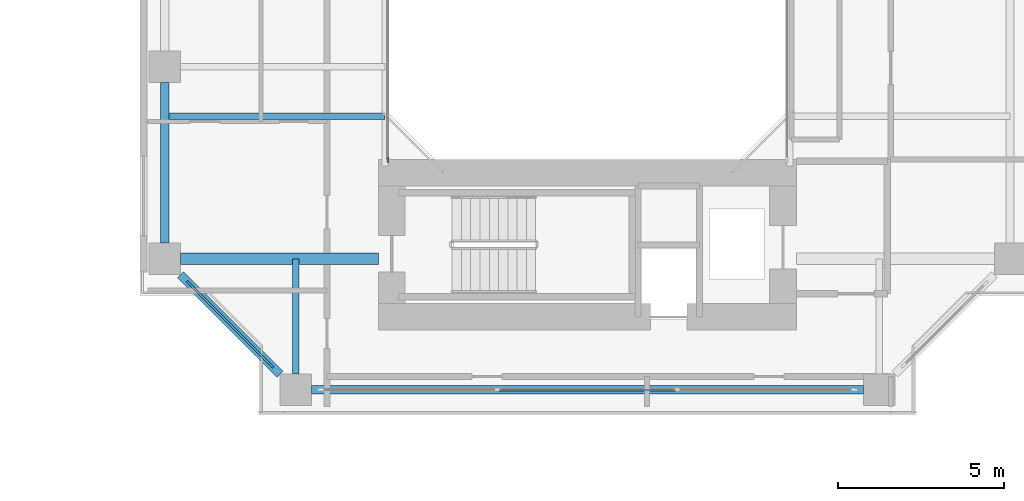
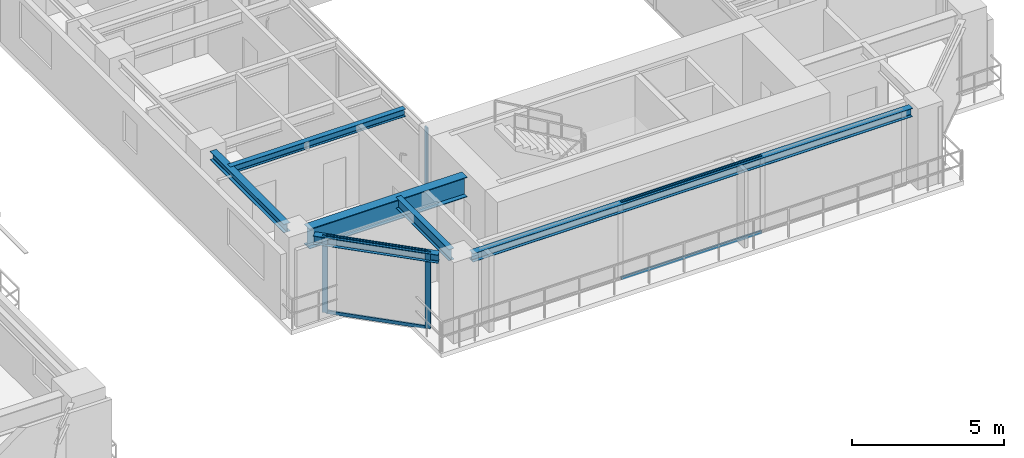
# One storey, part 6 of 24: 7 members, 6 beams, 3 elements without a shape of their own.
"""IFC4 building model written with IfcOpenShell, lengths in metres."""

from ifc_helpers import new_model, si_unit, direction, frame, origin, origin_2d, place, context, subcontext, project, spatial, rectangle, i_section, extrude, source, transform, mapped, material, layer, layer_set, material_profile, profile_set, type_object, element, aggregate, save


model = new_model("IFC4")

# Units and contexts
model_context = context("Model", 3, precision=1e-05, world=origin(), true_north=direction((0.0, 1.0)))
body_context = subcontext(model_context, "Body", "Model", "MODEL_VIEW")
ifc_project = project(units=[si_unit("LENGTHUNIT", "METRE"), si_unit("AREAUNIT", "SQUARE_METRE"), si_unit("VOLUMEUNIT", "CUBIC_METRE"), si_unit("PLANEANGLEUNIT", "RADIAN"), si_unit("MASSUNIT", "GRAM", prefix="KILO"), si_unit("THERMODYNAMICTEMPERATUREUNIT", "KELVIN"), si_unit("POWERUNIT", "WATT")], contexts=[model_context])

# Site, building, storey
site_placement = place(None, origin())
site = spatial("IfcSite", under=ifc_project, at=site_placement, CompositionType="ELEMENT")
building_placement = place(site_placement, origin())
building = spatial("IfcBuilding", under=site, at=building_placement, Name="Qiaomeng Ring Towers", CompositionType="ELEMENT")
storey_placement = place(building_placement, frame((0.0, 0.0, 63.25)))
storey = spatial("IfcBuildingStorey", under=building, at=storey_placement, Name="L17", CompositionType="ELEMENT", Elevation=63.25)

# Beams
ifc_material_1 = material(Name="Steel Q355B", Category="steel")
ifc_material_profile_1 = material_profile(ifc_material_1, i_section(OverallWidth=0.25, OverallDepth=0.340087890625, WebThickness=0.009033203125, FlangeThickness=0.013916015625, FilletRadius=0.02001953125, at=origin_2d()), Name="HM 340x250x9x14")
ifc_profile_set_1 = profile_set([ifc_material_profile_1], Name="Steel Q355B")
beam_type_1 = type_object("IfcBeamType", Name="STR-BM-HM340", PredefinedType="SPANDREL", material=ifc_profile_set_1)
shared_shape_1 = source(origin(), body_context, "Body", "SweptSolid", [
    extrude(i_section(OverallWidth=0.25, OverallDepth=0.340087890625, WebThickness=0.009033203125, FlangeThickness=0.013916015625, FilletRadius=0.02001953125, at=origin_2d()), origin(), (0.0, 0.0, 1.0), 16.65185546875),
])
beam_1_placement = place(storey_placement, frame((52.174072265625, 10.25, 2.89990234375), z_axis=(1.0, 0.0, 0.0), x_axis=(0.0, 1.0, 0.0)))
element("IfcBeam", 1, at=beam_1_placement, inside=storey, type_object=beam_type_1, Name="L17 beam STR-SP-L17-T2-S1-S2", PredefinedType="SPANDREL", context=body_context, shape_type="MappedRepresentation", body=[
    mapped(shared_shape_1, transform((0.0, 0.0, 0.0), x_axis=(1.0, 0.0, 0.0), y_axis=(0.0, 1.0, 0.0), z_axis=(0.0, 0.0, 1.0), scale=1.0)),
])
shared_shape_2 = source(origin(), body_context, "Body", "SweptSolid", [
    extrude(i_section(OverallWidth=0.25, OverallDepth=0.340087890625, WebThickness=0.009033203125, FlangeThickness=0.013916015625, FilletRadius=0.02001953125, at=origin_2d()), origin(), (0.0, 0.0, 1.0), 4.244384765625),
])
beam_2_placement = place(storey_placement, frame((48.224365234375, 13.7255859375, 2.89990234375), z_axis=(0.707106781187, -0.707106781187, 0.0), x_axis=(0.707106781187, 0.707106781187, 0.0)))
element("IfcBeam", 2, at=beam_2_placement, inside=storey, type_object=beam_type_1, Name="L17 beam STR-SP-L17-T2-W1-S1", PredefinedType="SPANDREL", context=body_context, shape_type="MappedRepresentation", body=[
    mapped(shared_shape_2, transform((0.0, 0.0, 0.0), x_axis=(1.0, 0.0, 0.0), y_axis=(0.0, 1.0, 0.0), z_axis=(0.0, 0.0, 1.0), scale=1.0)),
])
shared_shape_3 = source(origin(), body_context, "Body", "SweptSolid", [
    extrude(i_section(OverallWidth=0.25, OverallDepth=0.340087890625, WebThickness=0.009033203125, FlangeThickness=0.013916015625, FilletRadius=0.02001953125, at=origin_2d()), origin(), (0.0, 0.0, 1.0), 4.851806640625),
])
beam_3_placement = place(storey_placement, frame((47.75, 19.52587890625, 2.89990234375), z_axis=(0.0, -1.0, 0.0), x_axis=(1.0, 0.0, 0.0)))
element("IfcBeam", 3, at=beam_3_placement, inside=storey, type_object=beam_type_1, Name="L17 beam STR-SP-L17-T2-W2-W1", PredefinedType="SPANDREL", context=body_context, shape_type="MappedRepresentation", body=[
    mapped(shared_shape_3, transform((0.0, 0.0, 0.0), x_axis=(1.0, 0.0, 0.0), y_axis=(0.0, 1.0, 0.0), z_axis=(0.0, 0.0, 1.0), scale=1.0)),
])
ifc_material_2 = material(Name="Steel Q390GJC", Category="steel")
ifc_material_profile_2 = material_profile(ifc_material_2, i_section(OverallWidth=0.35009765625, OverallDepth=0.800048828125, WebThickness=0.01611328125, FlangeThickness=0.028076171875, at=origin_2d()), Name="WH 800x350x16x28")
ifc_profile_set_2 = profile_set([ifc_material_profile_2], Name="Steel Q390GJC")
beam_type_2 = type_object("IfcBeamType", Name="STR-BM-WH800", PredefinedType="BEAM", material=ifc_profile_set_2)
shared_shape_4 = source(origin(), body_context, "Body", "SweptSolid", [
    extrude(i_section(OverallWidth=0.35009765625, OverallDepth=0.800048828125, WebThickness=0.01611328125, FlangeThickness=0.028076171875, at=origin_2d()), origin(), (0.0, 0.0, 1.0), 5.975830078125),
])
beam_4_placement = place(storey_placement, frame((48.22412109375, 14.199951171875, 2.669921875), z_axis=(1.0, 0.0, 0.0), x_axis=(0.0, 1.0, 0.0)))
element("IfcBeam", 4, at=beam_4_placement, inside=storey, type_object=beam_type_2, Name="L17 beam STR-BM-L17-T2-RAD-W1", PredefinedType="BEAM", context=body_context, shape_type="MappedRepresentation", body=[
    mapped(shared_shape_4, transform((0.0, 0.0, 0.0), x_axis=(1.0, 0.0, 0.0), y_axis=(0.0, 1.0, 0.0), z_axis=(0.0, 0.0, 1.0), scale=1.0)),
])
ifc_material_profile_3 = material_profile(ifc_material_1, i_section(OverallWidth=0.199951171875, OverallDepth=0.449951171875, WebThickness=0.009033203125, FlangeThickness=0.013916015625, FilletRadius=0.01806640625, at=origin_2d()), Name="HN 450x200x9x14")
ifc_profile_set_3 = profile_set([ifc_material_profile_3], Name="Steel Q355B")
beam_type_3 = type_object("IfcBeamType", Name="STR-BM-HN450", PredefinedType="SPANDREL", material=ifc_profile_set_3)
shared_shape_5 = source(origin(), body_context, "Body", "SweptSolid", [
    extrude(i_section(OverallWidth=0.199951171875, OverallDepth=0.449951171875, WebThickness=0.009033203125, FlangeThickness=0.013916015625, FilletRadius=0.01806640625, at=origin_2d()), origin(), (0.0, 0.0, 1.0), 3.475830078125),
])
beam_5_placement = place(storey_placement, frame((51.699951171875, 10.72412109375, 2.844970703125), z_axis=(0.0, 1.0, 0.0), x_axis=(-1.0, 0.0, 0.0)))
element("IfcBeam", 5, at=beam_5_placement, inside=storey, type_object=beam_type_3, Name="L17 beam STR-BM-L17-T2-RAD-S1", PredefinedType="SPANDREL", context=body_context, shape_type="MappedRepresentation", body=[
    mapped(shared_shape_5, transform((0.0, 0.0, 0.0), x_axis=(1.0, 0.0, 0.0), y_axis=(0.0, 1.0, 0.0), z_axis=(0.0, 0.0, 1.0), scale=1.0)),
])
ifc_material_profile_4 = material_profile(ifc_material_1, i_section(OverallWidth=0.199951171875, OverallDepth=0.2939453125, WebThickness=0.008056640625, FlangeThickness=0.011962890625, FilletRadius=0.01806640625, at=origin_2d()), Name="HM 294x200x8x12")
ifc_profile_set_4 = profile_set([ifc_material_profile_4], Name="Steel Q355B")
beam_type_4 = type_object("IfcBeamType", Name="STR-BM-HM294", PredefinedType="JOIST", material=ifc_profile_set_4)
shared_shape_6 = source(origin(), body_context, "Body", "SweptSolid", [
    extrude(i_section(OverallWidth=0.199951171875, OverallDepth=0.2939453125, WebThickness=0.008056640625, FlangeThickness=0.011962890625, FilletRadius=0.01806640625, at=origin_2d()), origin(), (0.0, 0.0, 1.0), 6.64990234375),
])
beam_6_placement = place(storey_placement, frame((47.75, 18.5, 2.923095703125), z_axis=(1.0, 0.0, 0.0), x_axis=(0.0, 1.0, 0.0)))
element("IfcBeam", 6, at=beam_6_placement, inside=storey, type_object=beam_type_4, Name="L17 beam STR-JST-L17-T2W-1", PredefinedType="JOIST", context=body_context, shape_type="MappedRepresentation", body=[
    mapped(shared_shape_6, transform((0.0, 0.0, 0.0), x_axis=(1.0, 0.0, 0.0), y_axis=(0.0, 1.0, 0.0), z_axis=(0.0, 0.0, 1.0), scale=1.0)),
])

# Curtain wall, member
ifc_material_3 = material(Name="Fluorocarbon dark-grey aluminium", Category="aluminium")
ifc_layer_1 = layer(ifc_material_3, 0.139892578125, Name="Fluorocarbon dark-grey aluminium")
ifc_layer_set_1 = layer_set([ifc_layer_1], Name="Fluorocarbon dark-grey aluminium")
curtain_wall_type_1 = type_object("IfcCurtainWallType", Name="ARC-CW-4", PredefinedType="NOTDEFINED", material=ifc_layer_set_1)
curtain_wall_1_placement = place(storey_placement, origin())
curtain_wall_1 = element("IfcCurtainWall", 7, at=curtain_wall_1_placement, inside=storey, type_object=curtain_wall_type_1, Name="L17 Curtain Wall CW4", PredefinedType="NOTDEFINED")
ifc_material_profile_5 = material_profile(ifc_material_3, rectangle(XDim=0.06494140625, YDim=0.159912109375, at=origin_2d()), Name="ALU MULL 65x160")
ifc_profile_set_5 = profile_set([ifc_material_profile_5], Name="Fluorocarbon dark-grey aluminium")
member_type_1 = type_object("IfcMemberType", Name="ARC-CWM-140", PredefinedType="MULLION", material=ifc_profile_set_5)
shared_shape_7 = source(origin(), body_context, "Body", "SweptSolid", [
    extrude(rectangle(XDim=0.06494140625, YDim=0.159912109375, at=origin_2d()), origin(), (0.0, 0.0, 1.0), 3.070068359375),
])
member_1_placement = place(storey_placement, frame((54.47998046875, 17.1826171875, 0.0), z_axis=(0.0, 0.0, 1.0), x_axis=(-1.0, 0.0, 0.0)))
member_1 = element("IfcMember", 8, at=member_1_placement, type_object=member_type_1, Name="CW4 mullion 1", PredefinedType="MULLION", context=body_context, shape_type="MappedRepresentation", body=[
    mapped(shared_shape_7, transform((0.0, 0.0, 0.0), x_axis=(1.0, 0.0, 0.0), y_axis=(0.0, 1.0, 0.0), z_axis=(0.0, 0.0, 1.0), scale=1.0)),
])
aggregate(curtain_wall_1, [member_1])

# Curtain wall, members
ifc_layer_2 = layer(ifc_material_3, 0.14990234375, Name="Fluorocarbon dark-grey aluminium")
ifc_layer_set_2 = layer_set([ifc_layer_2], Name="Fluorocarbon dark-grey aluminium")
curtain_wall_type_2 = type_object("IfcCurtainWallType", Name="ARC-CW-5", PredefinedType="NOTDEFINED", material=ifc_layer_set_2)
curtain_wall_2_placement = place(storey_placement, origin())
curtain_wall_2 = element("IfcCurtainWall", 9, at=curtain_wall_2_placement, inside=storey, type_object=curtain_wall_type_2, Name="L17 Curtain Wall CW5", PredefinedType="NOTDEFINED")
ifc_material_profile_6 = material_profile(ifc_material_3, rectangle(XDim=0.070068359375, YDim=0.179931640625, at=origin_2d()), Name="ALU MULL 70x180")
ifc_profile_set_6 = profile_set([ifc_material_profile_6], Name="Fluorocarbon dark-grey aluminium")
member_type_2 = type_object("IfcMemberType", Name="ARC-CWM-160", PredefinedType="MULLION", material=ifc_profile_set_6)
shared_shape_8 = source(origin(), body_context, "Body", "SweptSolid", [
    extrude(rectangle(XDim=0.070068359375, YDim=0.179931640625, at=origin_2d()), origin(), (0.0, 0.0, 1.0), 3.070068359375),
])
member_2_placement = place(storey_placement, frame((48.48974609375, 13.460205078125, 0.0), z_axis=(0.0, 0.0, 1.0), x_axis=(0.707106781187, 0.707106781187, 0.0)))
member_2 = element("IfcMember", 10, at=member_2_placement, type_object=member_type_2, Name="CW5 mullion 1", PredefinedType="MULLION", context=body_context, shape_type="MappedRepresentation", body=[
    mapped(shared_shape_8, transform((0.0, 0.0, 0.0), x_axis=(1.0, 0.0, 0.0), y_axis=(0.0, 1.0, 0.0), z_axis=(0.0, 0.0, 1.0), scale=1.0)),
])
member_3_placement = place(storey_placement, frame((50.960205078125, 10.98974609375, 0.0), z_axis=(0.0, 0.0, 1.0), x_axis=(0.707106781187, 0.707106781187, 0.0)))
member_3 = element("IfcMember", 11, at=member_3_placement, type_object=member_type_2, Name="CW5 mullion 2", PredefinedType="MULLION", context=body_context, shape_type="MappedRepresentation", body=[
    mapped(shared_shape_8, transform((0.0, 0.0, 0.0), x_axis=(1.0, 0.0, 0.0), y_axis=(0.0, 1.0, 0.0), z_axis=(0.0, 0.0, 1.0), scale=1.0)),
])

curtain_wall_3_placement = place(storey_placement, origin())
curtain_wall_3 = element("IfcCurtainWall", 12, at=curtain_wall_3_placement, inside=storey, type_object=curtain_wall_type_2, Name="L17 Curtain Wall CW5", PredefinedType="NOTDEFINED")
ifc_material_profile_7 = material_profile(ifc_material_3, rectangle(XDim=0.06494140625, YDim=0.1298828125, at=origin_2d()), Name="ALU TRAN 65x130")
ifc_profile_set_7 = profile_set([ifc_material_profile_7], Name="Fluorocarbon dark-grey aluminium")
member_type_3 = type_object("IfcMemberType", Name="ARC-CWT-120", PredefinedType="USERDEFINED", material=ifc_profile_set_7)
shared_shape_9 = source(origin(), body_context, "Body", "SweptSolid", [
    extrude(rectangle(XDim=0.06494140625, YDim=0.1298828125, at=origin_2d()), origin(), (0.0, 0.0, 1.0), 5.31982421875),
])
member_4_placement = place(storey_placement, frame((57.840087890625, 10.25, 0.032470703125), z_axis=(1.0, 0.0, 0.0), x_axis=(0.0, 1.0, 0.0)))
member_4 = element("IfcMember", 13, at=member_4_placement, type_object=member_type_3, Name="CW5 transom 2.1", ObjectType="TRANSOM", PredefinedType="USERDEFINED", context=body_context, shape_type="MappedRepresentation", body=[
    mapped(shared_shape_9, transform((0.0, 0.0, 0.0), x_axis=(1.0, 0.0, 0.0), y_axis=(0.0, 1.0, 0.0), z_axis=(0.0, 0.0, 1.0), scale=1.0)),
])
member_5_placement = place(storey_placement, frame((57.840087890625, 10.25, 3.03759765625), z_axis=(1.0, 0.0, 0.0), x_axis=(0.0, 1.0, 0.0)))
member_5 = element("IfcMember", 14, at=member_5_placement, type_object=member_type_3, Name="CW5 transom 2.2", ObjectType="TRANSOM", PredefinedType="USERDEFINED", context=body_context, shape_type="MappedRepresentation", body=[
    mapped(shared_shape_9, transform((0.0, 0.0, 0.0), x_axis=(1.0, 0.0, 0.0), y_axis=(0.0, 1.0, 0.0), z_axis=(0.0, 0.0, 1.0), scale=1.0)),
])
aggregate(curtain_wall_3, [member_4, member_5])

# Member
shared_shape_10 = source(origin(), body_context, "Body", "SweptSolid", [
    extrude(rectangle(XDim=0.06494140625, YDim=0.1298828125, at=origin_2d()), origin(), (0.0, 0.0, 1.0), 3.424072265625),
])
member_6_placement = place(storey_placement, frame((48.514404296875, 13.435546875, 0.032470703125), z_axis=(0.707106781187, -0.707106781187, 0.0), x_axis=(0.707106781187, 0.707106781187, 0.0)))
member_6 = element("IfcMember", 15, at=member_6_placement, type_object=member_type_3, Name="CW5 transom 1.1", ObjectType="TRANSOM", PredefinedType="USERDEFINED", context=body_context, shape_type="MappedRepresentation", body=[
    mapped(shared_shape_10, transform((0.0, 0.0, 0.0), x_axis=(1.0, 0.0, 0.0), y_axis=(0.0, 1.0, 0.0), z_axis=(0.0, 0.0, 1.0), scale=1.0)),
])

member_7_placement = place(storey_placement, frame((48.514404296875, 13.435546875, 3.03759765625), z_axis=(0.707106781187, -0.707106781187, 0.0), x_axis=(0.707106781187, 0.707106781187, 0.0)))
member_7 = element("IfcMember", 16, at=member_7_placement, type_object=member_type_3, Name="CW5 transom 1.2", ObjectType="TRANSOM", PredefinedType="USERDEFINED", context=body_context, shape_type="MappedRepresentation", body=[
    mapped(shared_shape_10, transform((0.0, 0.0, 0.0), x_axis=(1.0, 0.0, 0.0), y_axis=(0.0, 1.0, 0.0), z_axis=(0.0, 0.0, 1.0), scale=1.0)),
])

aggregate(curtain_wall_2, [member_2, member_3, member_6, member_7])

save(model, "model.ifc")
